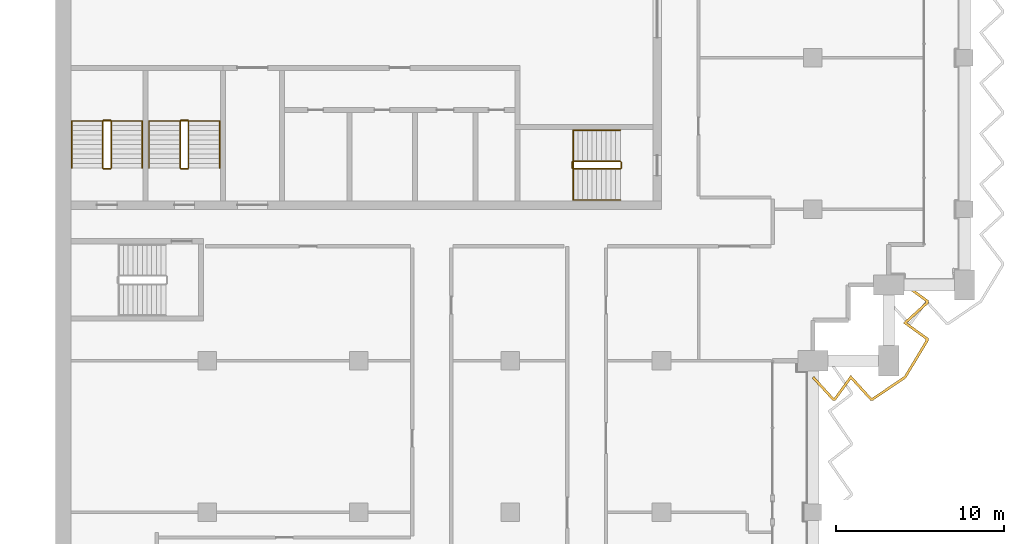
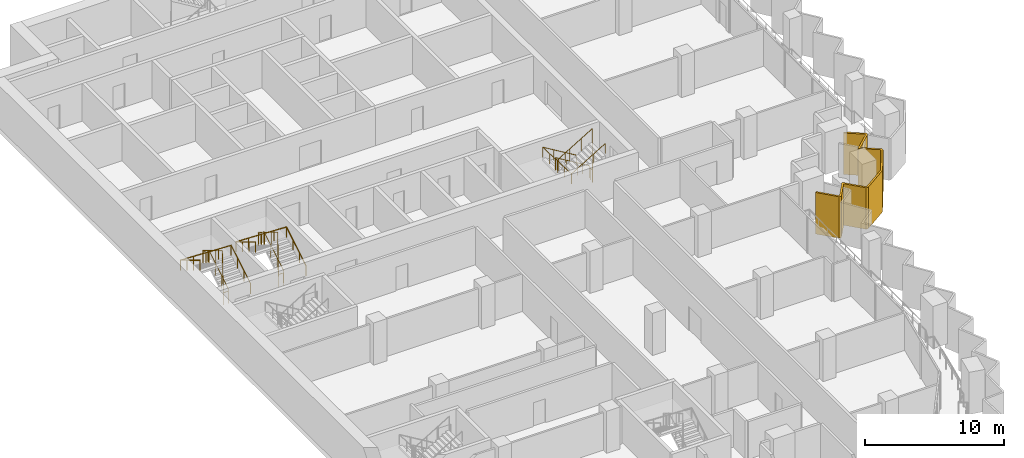
# One storey, part 16 of 17: 6 railings, 1 shading device.
"""IFC4 building model written with IfcOpenShell, lengths in metres."""

from ifc_helpers import new_model, si_unit, direction, frame, origin, origin_2d, place, context, subcontext, project, spatial, polyline, circle, outline, extrude, material, layer, layer_set, type_object, element, save


model = new_model("IFC4")

# Units and contexts
model_context = context("Model", 3, precision=1e-05, world=origin(), true_north=direction((0.0, 1.0)))
body_context = subcontext(model_context, "Body", "Model", "MODEL_VIEW")
ifc_project = project(units=[si_unit("LENGTHUNIT", "METRE"), si_unit("AREAUNIT", "SQUARE_METRE"), si_unit("VOLUMEUNIT", "CUBIC_METRE"), si_unit("PLANEANGLEUNIT", "RADIAN"), si_unit("MASSUNIT", "GRAM", prefix="KILO")], contexts=[model_context])

# Site, building, storey
site_placement = place(None, origin())
site = spatial("IfcSite", under=ifc_project, at=site_placement, CompositionType="ELEMENT")
building_placement = place(site_placement, origin())
building = spatial("IfcBuilding", under=site, at=building_placement, Name="Hunhe Ridgeline Campus", CompositionType="ELEMENT")
storey_placement = place(building_placement, frame((0.0, 0.0, 212.39990234375)))
storey = spatial("IfcBuildingStorey", under=building, at=storey_placement, Name="L54", CompositionType="ELEMENT", Elevation=212.39990234375)

# Shading device
ifc_material_1 = material(Name="Concrete C50", Category="concrete")
ifc_layer = layer(ifc_material_1, 0.14990234375)
ifc_layer_set = layer_set([ifc_layer], Name="Sawtooth concrete fin 150 Concrete C50")
shading_device_type = type_object("IfcShadingDeviceType", Name="Sawtooth concrete fin 150 Concrete C50", PredefinedType="USERDEFINED", material=ifc_layer_set)
shading_device_placement = place(storey_placement, frame((0.0, 0.0, -0.949951171875)))
element("IfcShadingDevice", 1, at=shading_device_placement, inside=storey, type_object=shading_device_type, Name="Concrete fin screen 2", ObjectType="FIN", PredefinedType="USERDEFINED", context=body_context, shape_type="SweptSolid", body=[
    extrude(outline(polyline([(45.055419921875, 53.075439453125), (44.944580078125, 52.974365234375), (46.15283203125, 51.64990234375), (46.34423828125, 51.64990234375), (47.256591796875, 52.906494140625), (48.40283203125, 51.64990234375), (48.5791015625, 51.64990234375), (50.53076171875, 52.97216796875), (51.85009765625, 55.165283203125), (51.85009765625, 55.34423828125), (50.593505859375, 56.256591796875), (51.85009765625, 57.40283203125), (51.85009765625, 57.59423828125), (50.51904296875, 58.560791015625), (50.430908203125, 58.439208984375), (51.699951171875, 57.517822265625), (51.699951171875, 57.46923828125), (50.3564453125, 56.243408203125), (51.699951171875, 55.267822265625), (51.699951171875, 55.206787109375), (50.419189453125, 53.077880859375), (48.532958984375, 51.800048828125), (48.46923828125, 51.800048828125), (47.243408203125, 53.1435546875), (46.267822265625, 51.800048828125), (46.21923828125, 51.800048828125), (45.055419921875, 53.075439453125)])), origin(), (0.0, 0.0, 1.0), 3.650146484375),
])

# Railings
ifc_material_2 = material(Name="Stainless steel balustrade", Category="steel")
railing_type_1 = type_object("IfcRailingType", Name="Stair guard 1100 stainless", PredefinedType="GUARDRAIL", material=ifc_material_2)
railing_1_placement = place(storey_placement, frame((33.550048828125, 65.85009765625, 0.168212890625)))
element("IfcRailing", 2, at=railing_1_placement, inside=storey, type_object=railing_type_1, Name="L54 stair S2 guard", PredefinedType="GUARDRAIL", context=body_context, shape_type="SweptSolid", body=[
    extrude(circle(Radius=0.02392578125, at=origin_2d()), frame((0.0, 0.0, 1.076171875), z_axis=(-0.857242210791, 0.0, 0.514913383045), x_axis=(0.0, -1.0, 0.0)), (0.0, 0.0, 1.0), 3.266357421875),
    extrude(circle(Radius=0.02392578125, at=origin_2d()), frame((-2.800048828125, 0.0, 2.7578125), z_axis=(-0.707106781187, -0.707106781187, 0.0), x_axis=(0.707106781187, -0.707106781187, 0.0)), (0.0, 0.0, 1.0), 0.07080078125),
    extrude(circle(Radius=0.02392578125, at=origin_2d()), frame((-2.85009765625, -0.050048828125, 2.7578125), z_axis=(0.0, -1.0, 0.0), x_axis=(1.0, 0.0, 0.0)), (0.0, 0.0, 1.0), 0.35009765625),
    extrude(circle(Radius=0.02392578125, at=origin_2d()), frame((-2.85009765625, -0.400146484375, 2.7578125), z_axis=(0.274243871929, -0.274243871929, 0.92172696468), x_axis=(0.707106781187, 0.707106781187, 0.0)), (0.0, 0.0, 1.0), 0.1826171875),
    extrude(circle(Radius=0.02392578125, at=origin_2d()), frame((-2.800048828125, -0.4501953125, 2.92626953125), z_axis=(0.857242210791, 0.0, 0.514913383045), x_axis=(0.0, 1.0, 0.0)), (0.0, 0.0, 1.0), 3.266357421875),
    extrude(circle(Radius=0.02392578125, at=origin_2d()), frame((0.0, -0.4501953125, 4.60791015625), z_axis=(0.013523522368, 0.013523522368, -0.999817097616), x_axis=(-0.707106781187, 0.707106781187, 0.0)), (0.0, 0.0, 1.0), 3.700927734375),
    extrude(circle(Radius=0.02392578125, at=origin_2d()), frame((0.050048828125, -0.400146484375, 0.90771484375), z_axis=(0.0, 1.0, 0.0), x_axis=(-1.0, 0.0, 0.0)), (0.0, 0.0, 1.0), 0.35009765625),
    extrude(circle(Radius=0.02099609375, at=origin_2d()), origin(), (0.0, 0.0, 1.0), 1.052001953125),
    extrude(circle(Radius=0.02099609375, at=origin_2d()), frame((-0.933349609375, 0.0, 0.560546875)), (0.0, 0.0, 1.0), 1.052001953125),
    extrude(circle(Radius=0.02099609375, at=origin_2d()), frame((-1.86669921875, 0.0, 1.121337890625)), (0.0, 0.0, 1.0), 1.052001953125),
    extrude(circle(Radius=0.02099609375, at=origin_2d()), frame((-2.800048828125, 0.0, 1.681884765625)), (0.0, 0.0, 1.0), 1.052001953125),
    extrude(circle(Radius=0.02099609375, at=origin_2d()), frame((-2.85009765625, -0.050048828125, 1.681884765625)), (0.0, 0.0, 1.0), 1.052001953125),
    extrude(circle(Radius=0.02099609375, at=origin_2d()), frame((-2.85009765625, -0.400146484375, 1.681884765625)), (0.0, 0.0, 1.0), 1.052001953125),
    extrude(circle(Radius=0.02099609375, at=origin_2d()), frame((-2.800048828125, -0.4501953125, 1.85009765625)), (0.0, 0.0, 1.0), 1.052001953125),
    extrude(circle(Radius=0.02099609375, at=origin_2d()), frame((-1.86669921875, -0.4501953125, 2.41064453125)), (0.0, 0.0, 1.0), 1.052001953125),
    extrude(circle(Radius=0.02099609375, at=origin_2d()), frame((-0.933349609375, -0.4501953125, 2.971435546875)), (0.0, 0.0, 1.0), 1.052001953125),
    extrude(circle(Radius=0.02099609375, at=origin_2d()), frame((0.0, -0.4501953125, 3.531982421875)), (0.0, 0.0, 1.0), 1.052001953125),
    extrude(circle(Radius=0.02099609375, at=origin_2d()), frame((0.012451171875, -0.437744140625, 2.60693359375)), (0.0, 0.0, 1.0), 1.052001953125),
    extrude(circle(Radius=0.02099609375, at=origin_2d()), frame((0.02490234375, -0.42529296875, 1.681884765625)), (0.0, 0.0, 1.0), 1.052001953125),
    extrude(circle(Radius=0.02099609375, at=origin_2d()), frame((0.03759765625, -0.41259765625, 0.7568359375)), (0.0, 0.0, 1.0), 1.052001953125),
    extrude(circle(Radius=0.02099609375, at=origin_2d()), frame((0.050048828125, -0.400146484375, -0.168212890625)), (0.0, 0.0, 1.0), 1.052001953125),
    extrude(circle(Radius=0.02099609375, at=origin_2d()), frame((0.050048828125, -0.050048828125, -0.168212890625)), (0.0, 0.0, 1.0), 1.052001953125),
])
railing_2_placement = place(storey_placement, frame((3.300048828125, 65.449951171875, 0.168212890625)))
element("IfcRailing", 3, at=railing_2_placement, inside=storey, type_object=railing_type_1, Name="L54 stair S3 guard", PredefinedType="GUARDRAIL", context=body_context, shape_type="SweptSolid", body=[
    extrude(circle(Radius=0.02392578125, at=origin_2d()), frame((0.0, 0.0, 1.076171875), z_axis=(0.0, 0.857242210791, 0.514913383045), x_axis=(-1.0, 0.0, 0.0)), (0.0, 0.0, 1.0), 3.266357421875),
    extrude(circle(Radius=0.02392578125, at=origin_2d()), frame((0.0, 2.800048828125, 2.7578125), z_axis=(-0.707106781187, 0.707106781187, 0.0), x_axis=(-0.707106781187, -0.707106781187, 0.0)), (0.0, 0.0, 1.0), 0.07080078125),
    extrude(circle(Radius=0.02392578125, at=origin_2d()), frame((-0.050048828125, 2.85009765625, 2.7578125), z_axis=(-1.0, 0.0, 0.0), x_axis=(0.0, -1.0, 0.0)), (0.0, 0.0, 1.0), 0.39990234375),
    extrude(circle(Radius=0.02392578125, at=origin_2d()), frame((-0.449951171875, 2.85009765625, 2.7578125), z_axis=(-0.274243871929, -0.274243871929, 0.92172696468), x_axis=(0.707106781187, -0.707106781187, 0.0)), (0.0, 0.0, 1.0), 0.1826171875),
    extrude(circle(Radius=0.02392578125, at=origin_2d()), frame((-0.5, 2.800048828125, 2.92626953125), z_axis=(0.0, -0.857242210791, 0.514913383045), x_axis=(1.0, 0.0, 0.0)), (0.0, 0.0, 1.0), 3.266357421875),
    extrude(circle(Radius=0.02392578125, at=origin_2d()), frame((-0.5, 0.0, 4.60791015625), z_axis=(0.013523522368, -0.013523522368, -0.999817097616), x_axis=(0.707106781187, 0.707106781187, 0.0)), (0.0, 0.0, 1.0), 3.700927734375),
    extrude(circle(Radius=0.02392578125, at=origin_2d()), frame((-0.449951171875, -0.050048828125, 0.90771484375), z_axis=(1.0, 0.0, 0.0), x_axis=(0.0, 1.0, 0.0)), (0.0, 0.0, 1.0), 0.39990234375),
    extrude(circle(Radius=0.02099609375, at=origin_2d()), origin(), (0.0, 0.0, 1.0), 1.052001953125),
    extrude(circle(Radius=0.02099609375, at=origin_2d()), frame((0.0, 0.933349609375, 0.560546875)), (0.0, 0.0, 1.0), 1.052001953125),
    extrude(circle(Radius=0.02099609375, at=origin_2d()), frame((0.0, 1.86669921875, 1.121337890625)), (0.0, 0.0, 1.0), 1.052001953125),
    extrude(circle(Radius=0.02099609375, at=origin_2d()), frame((0.0, 2.800048828125, 1.681884765625)), (0.0, 0.0, 1.0), 1.052001953125),
    extrude(circle(Radius=0.02099609375, at=origin_2d()), frame((-0.050048828125, 2.85009765625, 1.681884765625)), (0.0, 0.0, 1.0), 1.052001953125),
    extrude(circle(Radius=0.02099609375, at=origin_2d()), frame((-0.449951171875, 2.85009765625, 1.681884765625)), (0.0, 0.0, 1.0), 1.052001953125),
    extrude(circle(Radius=0.02099609375, at=origin_2d()), frame((-0.5, 2.800048828125, 1.85009765625)), (0.0, 0.0, 1.0), 1.052001953125),
    extrude(circle(Radius=0.02099609375, at=origin_2d()), frame((-0.5, 1.86669921875, 2.41064453125)), (0.0, 0.0, 1.0), 1.052001953125),
    extrude(circle(Radius=0.02099609375, at=origin_2d()), frame((-0.5, 0.933349609375, 2.971435546875)), (0.0, 0.0, 1.0), 1.052001953125),
    extrude(circle(Radius=0.02099609375, at=origin_2d()), frame((-0.5, 0.0, 3.531982421875)), (0.0, 0.0, 1.0), 1.052001953125),
    extrude(circle(Radius=0.02099609375, at=origin_2d()), frame((-0.487548828125, -0.012451171875, 2.60693359375)), (0.0, 0.0, 1.0), 1.052001953125),
    extrude(circle(Radius=0.02099609375, at=origin_2d()), frame((-0.47509765625, -0.02490234375, 1.681884765625)), (0.0, 0.0, 1.0), 1.052001953125),
    extrude(circle(Radius=0.02099609375, at=origin_2d()), frame((-0.46240234375, -0.03759765625, 0.7568359375)), (0.0, 0.0, 1.0), 1.052001953125),
    extrude(circle(Radius=0.02099609375, at=origin_2d()), frame((-0.449951171875, -0.050048828125, -0.168212890625)), (0.0, 0.0, 1.0), 1.052001953125),
    extrude(circle(Radius=0.02099609375, at=origin_2d()), frame((-0.050048828125, -0.050048828125, -0.168212890625)), (0.0, 0.0, 1.0), 1.052001953125),
])
railing_3_placement = place(storey_placement, frame((7.89990234375, 65.449951171875, 0.168212890625)))
element("IfcRailing", 4, at=railing_3_placement, inside=storey, type_object=railing_type_1, Name="L54 stair S4 guard", PredefinedType="GUARDRAIL", context=body_context, shape_type="SweptSolid", body=[
    extrude(circle(Radius=0.02392578125, at=origin_2d()), frame((0.0, 0.0, 1.076171875), z_axis=(0.0, 0.857242210791, 0.514913383045), x_axis=(-1.0, 0.0, 0.0)), (0.0, 0.0, 1.0), 3.266357421875),
    extrude(circle(Radius=0.02392578125, at=origin_2d()), frame((0.0, 2.800048828125, 2.7578125), z_axis=(-0.705375805398, 0.708833529934, 0.0), x_axis=(-0.708833529934, -0.705375805398, 0.0)), (0.0, 0.0, 1.0), 0.070556640625),
    extrude(circle(Radius=0.02392578125, at=origin_2d()), frame((-0.0498046875, 2.85009765625, 2.7578125), z_axis=(-1.0, 0.0, 0.0), x_axis=(0.0, -1.0, 0.0)), (0.0, 0.0, 1.0), 0.400146484375),
    extrude(circle(Radius=0.02392578125, at=origin_2d()), frame((-0.449951171875, 2.85009765625, 2.7578125), z_axis=(-0.274243871929, -0.274243871929, 0.92172696468), x_axis=(0.707106781187, -0.707106781187, 0.0)), (0.0, 0.0, 1.0), 0.1826171875),
    extrude(circle(Radius=0.02392578125, at=origin_2d()), frame((-0.5, 2.800048828125, 2.92626953125), z_axis=(0.0, -0.857242210791, 0.514913383045), x_axis=(1.0, 0.0, 0.0)), (0.0, 0.0, 1.0), 3.266357421875),
    extrude(circle(Radius=0.02392578125, at=origin_2d()), frame((-0.5, 0.0, 4.60791015625), z_axis=(0.013523522368, -0.013523522368, -0.999817097616), x_axis=(0.707106781187, 0.707106781187, 0.0)), (0.0, 0.0, 1.0), 3.700927734375),
    extrude(circle(Radius=0.02392578125, at=origin_2d()), frame((-0.449951171875, -0.050048828125, 0.90771484375), z_axis=(1.0, 0.0, 0.0), x_axis=(0.0, 1.0, 0.0)), (0.0, 0.0, 1.0), 0.400146484375),
    extrude(circle(Radius=0.02099609375, at=origin_2d()), origin(), (0.0, 0.0, 1.0), 1.052001953125),
    extrude(circle(Radius=0.02099609375, at=origin_2d()), frame((0.0, 0.933349609375, 0.560546875)), (0.0, 0.0, 1.0), 1.052001953125),
    extrude(circle(Radius=0.02099609375, at=origin_2d()), frame((0.0, 1.86669921875, 1.121337890625)), (0.0, 0.0, 1.0), 1.052001953125),
    extrude(circle(Radius=0.02099609375, at=origin_2d()), frame((0.0, 2.800048828125, 1.681884765625)), (0.0, 0.0, 1.0), 1.052001953125),
    extrude(circle(Radius=0.02099609375, at=origin_2d()), frame((-0.0498046875, 2.85009765625, 1.681884765625)), (0.0, 0.0, 1.0), 1.052001953125),
    extrude(circle(Radius=0.02099609375, at=origin_2d()), frame((-0.449951171875, 2.85009765625, 1.681884765625)), (0.0, 0.0, 1.0), 1.052001953125),
    extrude(circle(Radius=0.02099609375, at=origin_2d()), frame((-0.5, 2.800048828125, 1.85009765625)), (0.0, 0.0, 1.0), 1.052001953125),
    extrude(circle(Radius=0.02099609375, at=origin_2d()), frame((-0.5, 1.86669921875, 2.41064453125)), (0.0, 0.0, 1.0), 1.052001953125),
    extrude(circle(Radius=0.02099609375, at=origin_2d()), frame((-0.5, 0.933349609375, 2.971435546875)), (0.0, 0.0, 1.0), 1.052001953125),
    extrude(circle(Radius=0.02099609375, at=origin_2d()), frame((-0.5, 0.0, 3.531982421875)), (0.0, 0.0, 1.0), 1.052001953125),
    extrude(circle(Radius=0.02099609375, at=origin_2d()), frame((-0.487548828125, -0.012451171875, 2.60693359375)), (0.0, 0.0, 1.0), 1.052001953125),
    extrude(circle(Radius=0.02099609375, at=origin_2d()), frame((-0.47509765625, -0.02490234375, 1.681884765625)), (0.0, 0.0, 1.0), 1.052001953125),
    extrude(circle(Radius=0.02099609375, at=origin_2d()), frame((-0.46240234375, -0.03759765625, 0.7568359375)), (0.0, 0.0, 1.0), 1.052001953125),
    extrude(circle(Radius=0.02099609375, at=origin_2d()), frame((-0.449951171875, -0.050048828125, -0.168212890625)), (0.0, 0.0, 1.0), 1.052001953125),
    extrude(circle(Radius=0.02099609375, at=origin_2d()), frame((-0.0498046875, -0.050048828125, -0.168212890625)), (0.0, 0.0, 1.0), 1.052001953125),
])
ifc_material_3 = material(Name="Stainless steel handrail", Category="steel")
railing_type_2 = type_object("IfcRailingType", Name="Stair handrail 900 stainless", PredefinedType="HANDRAIL", material=ifc_material_3)
railing_4_placement = place(storey_placement, frame((33.550048828125, 67.699951171875, 0.168212890625)))
element("IfcRailing", 5, at=railing_4_placement, inside=storey, type_object=railing_type_2, Name="L54 stair S2 handrail", PredefinedType="HANDRAIL", context=body_context, shape_type="SweptSolid", body=[
    extrude(circle(Radius=0.02392578125, at=origin_2d()), frame((0.0, 0.0, 0.8759765625), z_axis=(-0.857242210791, 0.0, 0.514913383045), x_axis=(0.0, -1.0, 0.0)), (0.0, 0.0, 1.0), 3.266357421875),
    extrude(circle(Radius=0.02392578125, at=origin_2d()), frame((-2.800048828125, 0.0, 2.5576171875), z_axis=(0.0, -0.99917950104, 0.040500922239), x_axis=(1.0, 0.0, 0.0)), (0.0, 0.0, 1.0), 4.1533203125),
    extrude(circle(Radius=0.02392578125, at=origin_2d()), frame((-2.800048828125, -4.14990234375, 2.72607421875), z_axis=(0.857242210791, 0.0, 0.514913383045), x_axis=(0.0, 1.0, 0.0)), (0.0, 0.0, 1.0), 3.266357421875),
    extrude(circle(Radius=0.02099609375, at=origin_2d()), origin(), (0.0, 0.0, 1.0), 0.851806640625),
    extrude(circle(Radius=0.02099609375, at=origin_2d()), frame((-0.933349609375, 0.0, 0.560546875)), (0.0, 0.0, 1.0), 0.851806640625),
    extrude(circle(Radius=0.02099609375, at=origin_2d()), frame((-1.86669921875, 0.0, 1.121337890625)), (0.0, 0.0, 1.0), 0.851806640625),
    extrude(circle(Radius=0.02099609375, at=origin_2d()), frame((-2.800048828125, 0.0, 1.681884765625)), (0.0, 0.0, 1.0), 0.851806640625),
    extrude(circle(Radius=0.02099609375, at=origin_2d()), frame((-2.800048828125, -1.03759765625, 1.723876953125)), (0.0, 0.0, 1.0), 0.851806640625),
    extrude(circle(Radius=0.02099609375, at=origin_2d()), frame((-2.800048828125, -2.074951171875, 1.76611328125)), (0.0, 0.0, 1.0), 0.851806640625),
    extrude(circle(Radius=0.02099609375, at=origin_2d()), frame((-2.800048828125, -3.1123046875, 1.80810546875)), (0.0, 0.0, 1.0), 0.851806640625),
    extrude(circle(Radius=0.02099609375, at=origin_2d()), frame((-2.800048828125, -4.14990234375, 1.85009765625)), (0.0, 0.0, 1.0), 0.851806640625),
    extrude(circle(Radius=0.02099609375, at=origin_2d()), frame((-1.86669921875, -4.14990234375, 2.41064453125)), (0.0, 0.0, 1.0), 0.851806640625),
    extrude(circle(Radius=0.02099609375, at=origin_2d()), frame((-0.933349609375, -4.14990234375, 2.971435546875)), (0.0, 0.0, 1.0), 0.851806640625),
    extrude(circle(Radius=0.02099609375, at=origin_2d()), frame((0.0, -4.14990234375, 3.531982421875)), (0.0, 0.0, 1.0), 0.851806640625),
])
railing_5_placement = place(storey_placement, frame((5.14990234375, 65.449951171875, 0.168212890625)))
element("IfcRailing", 6, at=railing_5_placement, inside=storey, type_object=railing_type_2, Name="L54 stair S3 handrail", PredefinedType="HANDRAIL", context=body_context, shape_type="SweptSolid", body=[
    extrude(circle(Radius=0.02392578125, at=origin_2d()), frame((0.0, 0.0, 0.8759765625), z_axis=(0.0, 0.857242210791, 0.514913383045), x_axis=(-1.0, 0.0, 0.0)), (0.0, 0.0, 1.0), 3.266357421875),
    extrude(circle(Radius=0.02392578125, at=origin_2d()), frame((0.0, 2.800048828125, 2.5576171875), z_axis=(-0.999198916169, 0.0, 0.040019069537), x_axis=(0.0, -1.0, 0.0)), (0.0, 0.0, 1.0), 4.203369140625),
    extrude(circle(Radius=0.02392578125, at=origin_2d()), frame((-4.199951171875, 2.800048828125, 2.72607421875), z_axis=(0.0, -0.857242210791, 0.514913383045), x_axis=(1.0, 0.0, 0.0)), (0.0, 0.0, 1.0), 3.266357421875),
    extrude(circle(Radius=0.02099609375, at=origin_2d()), origin(), (0.0, 0.0, 1.0), 0.851806640625),
    extrude(circle(Radius=0.02099609375, at=origin_2d()), frame((0.0, 0.933349609375, 0.560546875)), (0.0, 0.0, 1.0), 0.851806640625),
    extrude(circle(Radius=0.02099609375, at=origin_2d()), frame((0.0, 1.86669921875, 1.121337890625)), (0.0, 0.0, 1.0), 0.851806640625),
    extrude(circle(Radius=0.02099609375, at=origin_2d()), frame((0.0, 2.800048828125, 1.681884765625)), (0.0, 0.0, 1.0), 0.851806640625),
    extrude(circle(Radius=0.02099609375, at=origin_2d()), frame((-1.050048828125, 2.800048828125, 1.723876953125)), (0.0, 0.0, 1.0), 0.851806640625),
    extrude(circle(Radius=0.02099609375, at=origin_2d()), frame((-2.10009765625, 2.800048828125, 1.76611328125)), (0.0, 0.0, 1.0), 0.851806640625),
    extrude(circle(Radius=0.02099609375, at=origin_2d()), frame((-3.14990234375, 2.800048828125, 1.80810546875)), (0.0, 0.0, 1.0), 0.851806640625),
    extrude(circle(Radius=0.02099609375, at=origin_2d()), frame((-4.199951171875, 2.800048828125, 1.85009765625)), (0.0, 0.0, 1.0), 0.851806640625),
    extrude(circle(Radius=0.02099609375, at=origin_2d()), frame((-4.199951171875, 1.86669921875, 2.41064453125)), (0.0, 0.0, 1.0), 0.851806640625),
    extrude(circle(Radius=0.02099609375, at=origin_2d()), frame((-4.199951171875, 0.933349609375, 2.971435546875)), (0.0, 0.0, 1.0), 0.851806640625),
    extrude(circle(Radius=0.02099609375, at=origin_2d()), frame((-4.199951171875, 0.0, 3.531982421875)), (0.0, 0.0, 1.0), 0.851806640625),
])
railing_6_placement = place(storey_placement, frame((9.75, 65.449951171875, 0.168212890625)))
element("IfcRailing", 7, at=railing_6_placement, inside=storey, type_object=railing_type_2, Name="L54 stair S4 handrail", PredefinedType="HANDRAIL", context=body_context, shape_type="SweptSolid", body=[
    extrude(circle(Radius=0.02392578125, at=origin_2d()), frame((0.0, 0.0, 0.8759765625), z_axis=(0.0, 0.857242210791, 0.514913383045), x_axis=(-1.0, 0.0, 0.0)), (0.0, 0.0, 1.0), 3.266357421875),
    extrude(circle(Radius=0.02392578125, at=origin_2d()), frame((0.0, 2.800048828125, 2.5576171875), z_axis=(-0.999198916169, 0.0, 0.040019069537), x_axis=(0.0, -1.0, 0.0)), (0.0, 0.0, 1.0), 4.203369140625),
    extrude(circle(Radius=0.02392578125, at=origin_2d()), frame((-4.199951171875, 2.800048828125, 2.72607421875), z_axis=(0.0, -0.857242210791, 0.514913383045), x_axis=(1.0, 0.0, 0.0)), (0.0, 0.0, 1.0), 3.266357421875),
    extrude(circle(Radius=0.02099609375, at=origin_2d()), origin(), (0.0, 0.0, 1.0), 0.851806640625),
    extrude(circle(Radius=0.02099609375, at=origin_2d()), frame((0.0, 0.933349609375, 0.560546875)), (0.0, 0.0, 1.0), 0.851806640625),
    extrude(circle(Radius=0.02099609375, at=origin_2d()), frame((0.0, 1.86669921875, 1.121337890625)), (0.0, 0.0, 1.0), 0.851806640625),
    extrude(circle(Radius=0.02099609375, at=origin_2d()), frame((0.0, 2.800048828125, 1.681884765625)), (0.0, 0.0, 1.0), 0.851806640625),
    extrude(circle(Radius=0.02099609375, at=origin_2d()), frame((-1.050048828125, 2.800048828125, 1.723876953125)), (0.0, 0.0, 1.0), 0.851806640625),
    extrude(circle(Radius=0.02099609375, at=origin_2d()), frame((-2.10009765625, 2.800048828125, 1.76611328125)), (0.0, 0.0, 1.0), 0.851806640625),
    extrude(circle(Radius=0.02099609375, at=origin_2d()), frame((-3.14990234375, 2.800048828125, 1.80810546875)), (0.0, 0.0, 1.0), 0.851806640625),
    extrude(circle(Radius=0.02099609375, at=origin_2d()), frame((-4.199951171875, 2.800048828125, 1.85009765625)), (0.0, 0.0, 1.0), 0.851806640625),
    extrude(circle(Radius=0.02099609375, at=origin_2d()), frame((-4.199951171875, 1.86669921875, 2.41064453125)), (0.0, 0.0, 1.0), 0.851806640625),
    extrude(circle(Radius=0.02099609375, at=origin_2d()), frame((-4.199951171875, 0.933349609375, 2.971435546875)), (0.0, 0.0, 1.0), 0.851806640625),
    extrude(circle(Radius=0.02099609375, at=origin_2d()), frame((-4.199951171875, 0.0, 3.531982421875)), (0.0, 0.0, 1.0), 0.851806640625),
])

save(model, "model.ifc")
